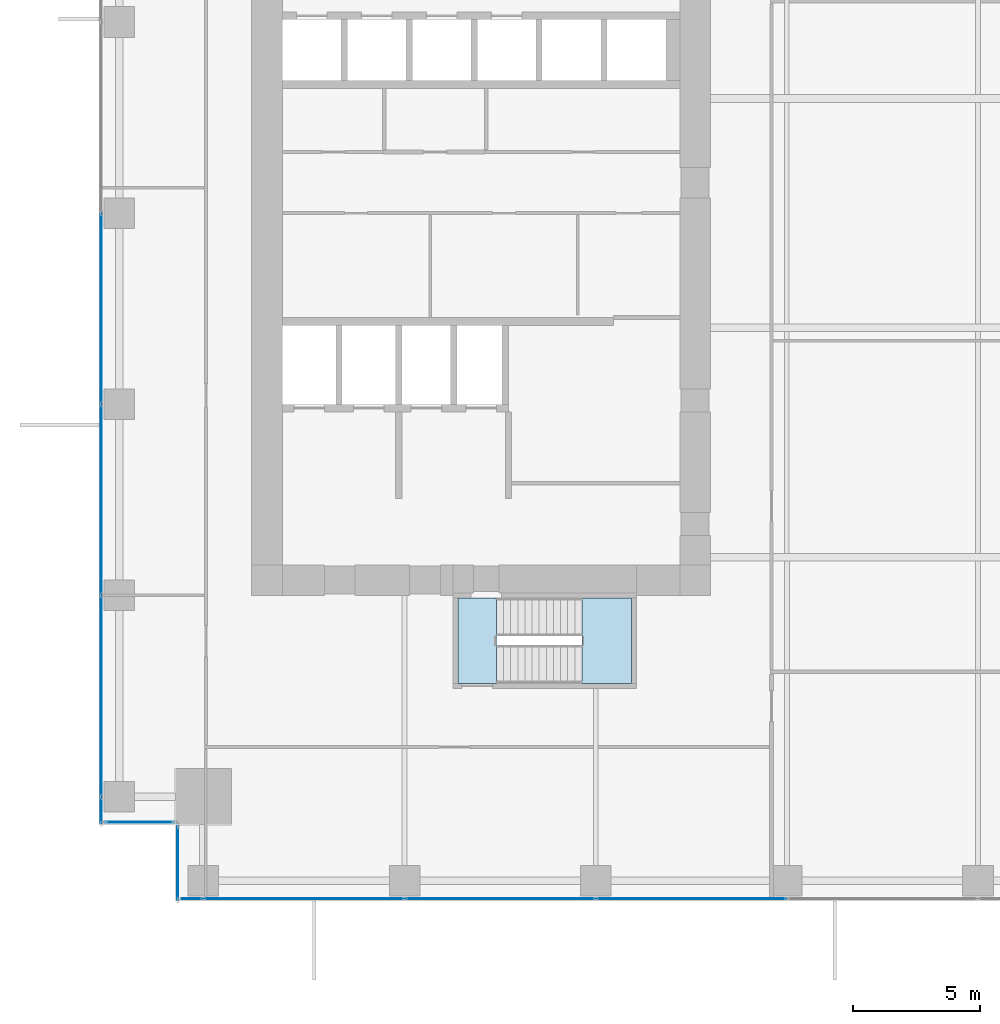
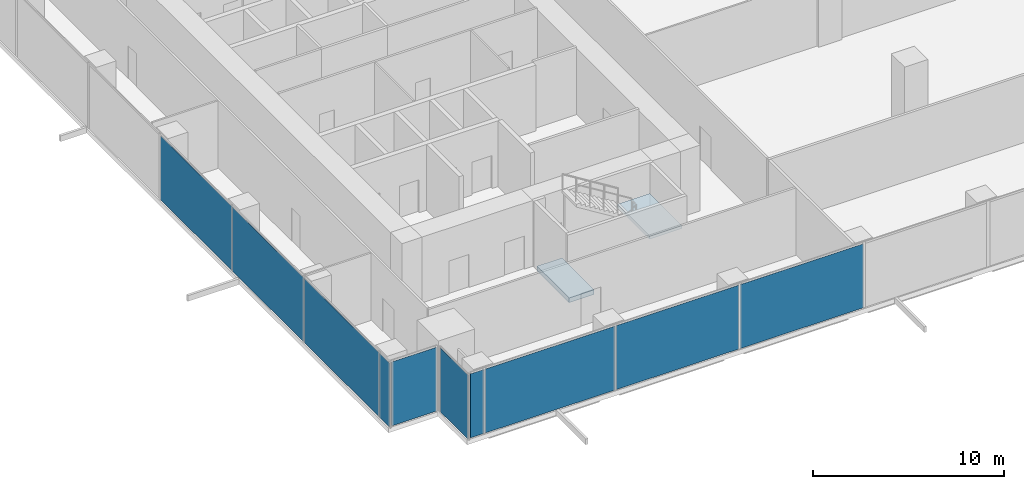
# One storey, part 22 of 33: 10 plates, 2 slabs, 5 elements without a shape of their own.
"""IFC4 building model written with IfcOpenShell, lengths in metres."""

from ifc_helpers import new_model, si_unit, direction, frame, origin, origin_2d, place, context, subcontext, project, spatial, polyline, rectangle, outline, extrude, source, transform, mapped, material, layer, layer_set, type_object, element, aggregate, save


model = new_model("IFC4")

# Units and contexts
model_context = context("Model", 3, precision=1e-05, world=origin(), true_north=direction((0.0, 1.0)))
body_context = subcontext(model_context, "Body", "Model", "MODEL_VIEW")
ifc_project = project(units=[si_unit("LENGTHUNIT", "METRE"), si_unit("AREAUNIT", "SQUARE_METRE"), si_unit("VOLUMEUNIT", "CUBIC_METRE"), si_unit("PLANEANGLEUNIT", "RADIAN"), si_unit("MASSUNIT", "GRAM", prefix="KILO")], contexts=[model_context])

# Site, building, storey
site_placement = place(None, origin())
site = spatial("IfcSite", under=ifc_project, at=site_placement, CompositionType="ELEMENT")
building_placement = place(site_placement, origin())
building = spatial("IfcBuilding", under=site, at=building_placement, Name="Khomas Fold Tower", CompositionType="ELEMENT")
storey_placement = place(building_placement, frame((0.0, 0.0, 82.5)))
storey = spatial("IfcBuildingStorey", under=building, at=storey_placement, Name="L17", CompositionType="ELEMENT", Elevation=82.5)

# Curtain wall, plates
ifc_material_1 = material(Name="Aluminium framed double glazing", Category="aluminium")
curtain_wall_type = type_object("IfcCurtainWallType", Name="SK-Unitised clear-glass wall, growing floors CW1", PredefinedType="NOTDEFINED", material=ifc_material_1)
curtain_wall_1_placement = place(storey_placement, origin())
curtain_wall_1 = element("IfcCurtainWall", 1, at=curtain_wall_1_placement, inside=storey, type_object=curtain_wall_type, Name="CW1 run L17 00-0", PredefinedType="NOTDEFINED")
ifc_material_2 = material(Name="Clear double glazed unit")
ifc_layer_1 = layer(ifc_material_2, 0.031982421875)
ifc_layer_set_1 = layer_set([ifc_layer_1], Name="Clear double glazed unit")
plate_type = type_object("IfcPlateType", Name="SK-Unitised clear-glass wall, growing floors glass panel CW1-P", PredefinedType="CURTAIN_PANEL", material=ifc_layer_set_1)
shared_shape_1 = source(origin(), body_context, "Body", "SweptSolid", [
    extrude(rectangle(XDim=0.81005859375, YDim=0.031982421875, at=origin_2d()), origin(), (0.0, 0.0, 1.0), 4.080078125),
])
plate_1_placement = place(storey_placement, frame((3.6650390625, 0.10009765625, 0.0), z_axis=(0.0, 0.0, 1.0), x_axis=(1.0, 0.0, 0.0)))
plate_1 = element("IfcPlate", 2, at=plate_1_placement, type_object=plate_type, Name="CW1 glass panel 1", PredefinedType="CURTAIN_PANEL", context=body_context, shape_type="MappedRepresentation", body=[
    mapped(shared_shape_1, transform((0.0, 0.0, 0.0))),
])
shared_shape_2 = source(origin(), body_context, "Body", "SweptSolid", [
    extrude(rectangle(XDim=7.840087890625, YDim=0.031982421875, at=origin_2d()), origin(), (0.0, 0.0, 1.0), 4.080078125),
])
plate_2_placement = place(storey_placement, frame((8.050048828125, 0.10009765625, 0.0), z_axis=(0.0, 0.0, 1.0), x_axis=(1.0, 0.0, 0.0)))
plate_2 = element("IfcPlate", 3, at=plate_2_placement, type_object=plate_type, Name="CW1 glass panel 2", PredefinedType="CURTAIN_PANEL", context=body_context, shape_type="MappedRepresentation", body=[
    mapped(shared_shape_2, transform((0.0, 0.0, 0.0))),
])

# Curtain wall, plate
curtain_wall_2_placement = place(storey_placement, origin())
curtain_wall_2 = element("IfcCurtainWall", 4, at=curtain_wall_2_placement, inside=storey, type_object=curtain_wall_type, Name="CW1 run L17 09-0", PredefinedType="NOTDEFINED")
plate_3_placement = place(storey_placement, frame((0.10009765625, 8.050048828125, 0.0), z_axis=(0.0, 0.0, 1.0), x_axis=(0.0, -1.0, 0.0)))
plate_3 = element("IfcPlate", 5, at=plate_3_placement, type_object=plate_type, Name="CW1 glass panel 7", PredefinedType="CURTAIN_PANEL", context=body_context, shape_type="MappedRepresentation", body=[
    mapped(shared_shape_2, transform((0.0, 0.0, 0.0))),
])

# Plate
shared_shape_3 = source(origin(), body_context, "Body", "SweptSolid", [
    extrude(rectangle(XDim=7.43994140625, YDim=0.031982421875, at=origin_2d()), origin(), (0.0, 0.0, 1.0), 4.080078125),
])
plate_4_placement = place(storey_placement, frame((15.75, 0.10009765625, 0.0), z_axis=(0.0, 0.0, 1.0), x_axis=(1.0, 0.0, 0.0)))
plate_4 = element("IfcPlate", 6, at=plate_4_placement, type_object=plate_type, Name="CW1 glass panel 3", PredefinedType="CURTAIN_PANEL", context=body_context, shape_type="MappedRepresentation", body=[
    mapped(shared_shape_3, transform((0.0, 0.0, 0.0))),
])

plate_5_placement = place(storey_placement, frame((23.25, 0.10009765625, 0.0), z_axis=(0.0, 0.0, 1.0), x_axis=(1.0, 0.0, 0.0)))
plate_5 = element("IfcPlate", 7, at=plate_5_placement, type_object=plate_type, Name="CW1 glass panel 4", PredefinedType="CURTAIN_PANEL", context=body_context, shape_type="MappedRepresentation", body=[
    mapped(shared_shape_3, transform((0.0, 0.0, 0.0))),
])

aggregate(curtain_wall_1, [plate_1, plate_2, plate_4, plate_5])

plate_6_placement = place(storey_placement, frame((0.10009765625, 23.25, 0.0), z_axis=(0.0, 0.0, 1.0), x_axis=(0.0, -1.0, 0.0)))
plate_6 = element("IfcPlate", 8, at=plate_6_placement, type_object=plate_type, Name="CW1 glass panel 5", PredefinedType="CURTAIN_PANEL", context=body_context, shape_type="MappedRepresentation", body=[
    mapped(shared_shape_3, transform((0.0, 0.0, 0.0))),
])

plate_7_placement = place(storey_placement, frame((0.10009765625, 15.75, 0.0), z_axis=(0.0, 0.0, 1.0), x_axis=(0.0, -1.0, 0.0)))
plate_7 = element("IfcPlate", 9, at=plate_7_placement, type_object=plate_type, Name="CW1 glass panel 6", PredefinedType="CURTAIN_PANEL", context=body_context, shape_type="MappedRepresentation", body=[
    mapped(shared_shape_3, transform((0.0, 0.0, 0.0))),
])

shared_shape_4 = source(origin(), body_context, "Body", "SweptSolid", [
    extrude(rectangle(XDim=1.010009765625, YDim=0.031982421875, at=origin_2d()), origin(), (0.0, 0.0, 1.0), 4.080078125),
])
plate_8_placement = place(storey_placement, frame((0.10009765625, 3.56494140625, 0.0), z_axis=(0.0, 0.0, 1.0), x_axis=(0.0, -1.0, 0.0)))
plate_8 = element("IfcPlate", 10, at=plate_8_placement, type_object=plate_type, Name="CW1 glass panel 8", PredefinedType="CURTAIN_PANEL", context=body_context, shape_type="MappedRepresentation", body=[
    mapped(shared_shape_4, transform((0.0, 0.0, 0.0))),
])

aggregate(curtain_wall_2, [plate_6, plate_7, plate_3, plate_8])

# Curtain wall, plate
curtain_wall_3_placement = place(storey_placement, origin())
curtain_wall_3 = element("IfcCurtainWall", 11, at=curtain_wall_3_placement, inside=storey, type_object=curtain_wall_type, Name="CW1 corner return L17 10", PredefinedType="NOTDEFINED")
shared_shape_5 = source(origin(), body_context, "Body", "SweptSolid", [
    extrude(rectangle(XDim=2.679931640625, YDim=0.031982421875, at=origin_2d()), origin(), (0.0, 0.0, 1.0), 4.080078125),
])
plate_9_placement = place(storey_placement, frame((1.60009765625, 3.10009765625, 0.0), z_axis=(0.0, 0.0, 1.0), x_axis=(1.0, 0.0, 0.0)))
plate_9 = element("IfcPlate", 12, at=plate_9_placement, type_object=plate_type, Name="CW1 glass panel 1", PredefinedType="CURTAIN_PANEL", context=body_context, shape_type="MappedRepresentation", body=[
    mapped(shared_shape_5, transform((0.0, 0.0, 0.0))),
])
aggregate(curtain_wall_3, [plate_9])

curtain_wall_4_placement = place(storey_placement, origin())
curtain_wall_4 = element("IfcCurtainWall", 13, at=curtain_wall_4_placement, inside=storey, type_object=curtain_wall_type, Name="CW1 corner return L17 11", PredefinedType="NOTDEFINED")
shared_shape_6 = source(origin(), body_context, "Body", "SweptSolid", [
    extrude(rectangle(XDim=2.8798828125, YDim=0.031982421875, at=origin_2d()), origin(), (0.0, 0.0, 1.0), 4.080078125),
])
plate_10_placement = place(storey_placement, frame((3.10009765625, 1.5, 0.0), z_axis=(0.0, 0.0, 1.0), x_axis=(0.0, -1.0, 0.0)))
plate_10 = element("IfcPlate", 14, at=plate_10_placement, type_object=plate_type, Name="CW1 glass panel 1", PredefinedType="CURTAIN_PANEL", context=body_context, shape_type="MappedRepresentation", body=[
    mapped(shared_shape_6, transform((0.0, 0.0, 0.0))),
])
aggregate(curtain_wall_4, [plate_10])

# Stair, slab
ifc_material_3 = material(Name="Concrete C40/50", Category="concrete")
stair_type = type_object("IfcStairType", Name="Stair ST2", PredefinedType="HALF_TURN_STAIR", material=ifc_material_3)
stair_placement = place(storey_placement, origin())
stair = element("IfcStair", 15, at=stair_placement, inside=storey, type_object=stair_type, Name="L17 ST2", PredefinedType="HALF_TURN_STAIR")
ifc_material_4 = material(Name="Concrete C40/50", Category="concrete")
ifc_layer_2 = layer(ifc_material_4, 0.199951171875)
ifc_layer_set_2 = layer_set([ifc_layer_2], Name="Concrete C40/50")
slab_type_1 = type_object("IfcSlabType", Name="Stair landing 200", PredefinedType="LANDING", material=ifc_layer_set_2)
shared_shape_7 = source(origin(), body_context, "Body", "SweptSolid", [
    extrude(outline(polyline([(18.9599609375, 8.550048828125), (20.89990234375, 8.550048828125), (20.89990234375, 11.89990234375), (18.9599609375, 11.89990234375), (18.9599609375, 8.550048828125)])), origin(), (0.0, 0.0, 1.0), 0.199951171875),
])
slab_1_placement = place(storey_placement, frame((0.0, 0.0, 2.050048828125)))
slab_1 = element("IfcSlab", 16, at=slab_1_placement, type_object=slab_type_1, Name="ST2 landing 1", PredefinedType="LANDING", context=body_context, shape_type="MappedRepresentation", body=[
    mapped(shared_shape_7, transform((0.0, 0.0, 0.0))),
])
aggregate(stair, [slab_1])

# Slab
ifc_material_5 = material(Name="Concrete C40/50", Category="concrete")
ifc_layer_3 = layer(ifc_material_5, 0.300048828125)
ifc_layer_set_3 = layer_set([ifc_layer_3], Name="Concrete C40/50")
slab_type_2 = type_object("IfcSlabType", Name="Stair floor landing 300", PredefinedType="LANDING", material=ifc_layer_set_3)
shared_shape_8 = source(origin(), body_context, "Body", "SweptSolid", [
    extrude(outline(polyline([(15.60009765625, 8.550048828125), (14.10009765625, 8.550048828125), (14.10009765625, 11.89990234375), (15.60009765625, 11.89990234375), (15.60009765625, 8.550048828125)])), origin(), (0.0, 0.0, 1.0), 0.300048828125),
])
slab_2_placement = place(storey_placement, frame((0.0, 0.0, -0.300048828125)))
element("IfcSlab", 17, at=slab_2_placement, inside=storey, type_object=slab_type_2, Name="ST2 floor landing", PredefinedType="LANDING", context=body_context, shape_type="MappedRepresentation", body=[
    mapped(shared_shape_8, transform((0.0, 0.0, 0.0))),
])

save(model, "model.ifc")
